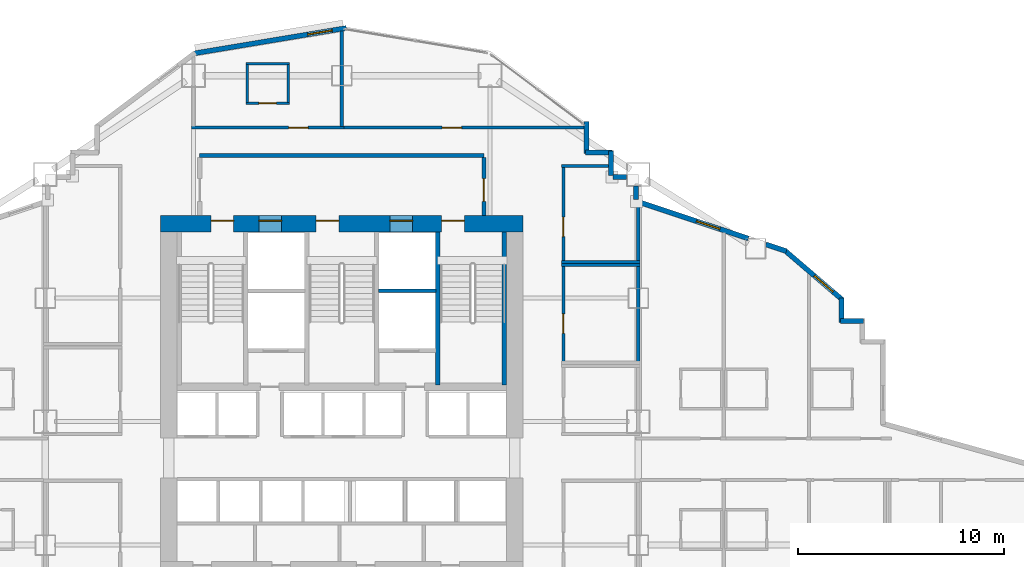
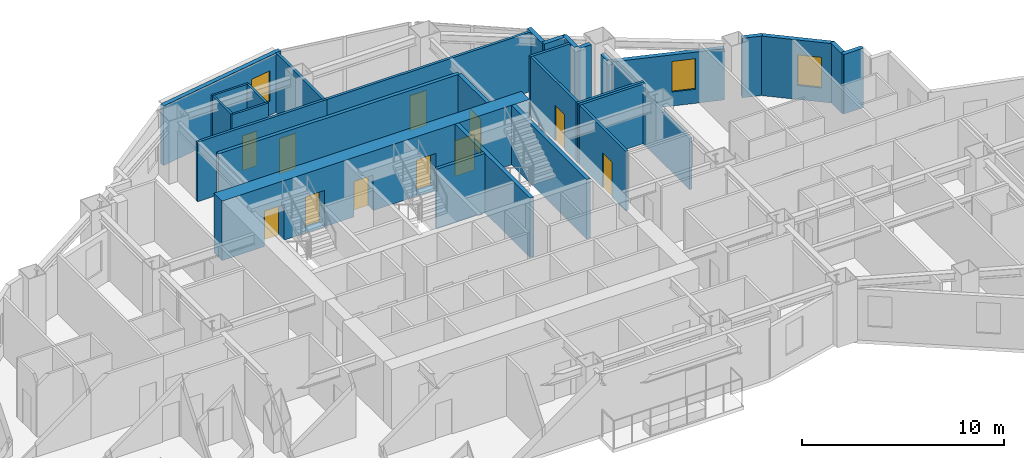
# One storey, part 12 of 17: 31 walls, 11 doors, 3 windows, 14 openings.
"""IFC4 building model written with IfcOpenShell, lengths in metres."""

from ifc_helpers import new_model, si_unit, direction, frame, frame_2d, origin, place, context, subcontext, project, spatial, rectangle, extrude, material, layer, layer_set, type_object, element, fill, save


model = new_model("IFC4")

# Units and contexts
model_context = context("Model", 3, precision=1e-05, world=origin(), true_north=direction((0.0, 1.0)))
body_context = subcontext(model_context, "Body", "Model", "MODEL_VIEW")
ifc_project = project(units=[si_unit("LENGTHUNIT", "METRE"), si_unit("AREAUNIT", "SQUARE_METRE"), si_unit("VOLUMEUNIT", "CUBIC_METRE"), si_unit("PLANEANGLEUNIT", "RADIAN"), si_unit("MASSUNIT", "GRAM", prefix="KILO")], contexts=[model_context])

# Site, building, storey
site_placement = place(None, origin())
site = spatial("IfcSite", under=ifc_project, at=site_placement, CompositionType="ELEMENT")
building_placement = place(site_placement, origin())
building = spatial("IfcBuilding", under=site, at=building_placement, Name="Haolan Belvedere Tower", CompositionType="ELEMENT")
storey_placement = place(building_placement, frame((0.0, 0.0, 81.800048828125)))
storey = spatial("IfcBuildingStorey", under=building, at=storey_placement, Name="L20", CompositionType="ELEMENT", Elevation=81.800048828125)

# Wall, openings, doors
ifc_material_1 = material(Name="Concrete C70/85", Category="concrete")
ifc_layer_1 = layer(ifc_material_1, 0.800048828125, Name="Concrete C70/85")
ifc_layer_set_1 = layer_set([ifc_layer_1], Name="Concrete C70/85")
wall_type_1 = type_object("IfcWallType", Name="WL-CORE-800", PredefinedType="SHEAR", material=ifc_layer_set_1)
wall_1_placement = place(storey_placement, frame((29.60009765625, 43.199951171875, 0.0), z_axis=(0.0, 0.0, 1.0), x_axis=(1.0, 0.0, 0.0)))
wall_1 = element("IfcWall", 1, at=wall_1_placement, inside=storey, type_object=wall_type_1, Name="L20 central core north shear wall", PredefinedType="SHEAR", context=body_context, shape_type="SweptSolid", body=[
    extrude(rectangle(XDim=17.599853515625, YDim=0.800048828125, at=frame_2d((8.7998046875, 0.0))), origin(), (0.0, 0.0, 1.0), 3.599853515625),
])
opening_1_placement = place(wall_1_placement, frame((2.449951171875, 0.0, 0.0)))
opening_1 = element("IfcOpeningElement", 2, at=opening_1_placement, cuts=wall_1, Name="Opening FD-03", PredefinedType="OPENING", context=body_context, shape_type="SweptSolid", body=[
    extrude(rectangle(XDim=1.10009765625, YDim=2.14990234375, at=frame_2d((0.550048828125, 1.074951171875))), frame((0.0, 0.409912109375, 0.0), z_axis=(0.0, -1.0, 0.0), x_axis=(1.0, 0.0, 0.0)), (0.0, 0.0, 1.0), 0.820068359375),
])
opening_2_placement = place(wall_1_placement, frame((7.56005859375, 0.0, 0.0)))
opening_2 = element("IfcOpeningElement", 3, at=opening_2_placement, cuts=wall_1, Name="Opening FD-03", PredefinedType="OPENING", context=body_context, shape_type="SweptSolid", body=[
    extrude(rectangle(XDim=1.10009765625, YDim=2.14990234375, at=frame_2d((0.550048828125, 1.074951171875))), frame((0.0, 0.409912109375, 0.0), z_axis=(0.0, -1.0, 0.0), x_axis=(1.0, 0.0, 0.0)), (0.0, 0.0, 1.0), 0.820068359375),
])
opening_3_placement = place(wall_1_placement, frame((13.64990234375, 0.0, 0.0)))
opening_3 = element("IfcOpeningElement", 4, at=opening_3_placement, cuts=wall_1, Name="Opening FD-03", PredefinedType="OPENING", context=body_context, shape_type="SweptSolid", body=[
    extrude(rectangle(XDim=1.10009765625, YDim=2.14990234375, at=frame_2d((0.550048828125, 1.074951171875))), frame((0.0, 0.409912109375, 0.0), z_axis=(0.0, -1.0, 0.0), x_axis=(1.0, 0.0, 0.0)), (0.0, 0.0, 1.0), 0.820068359375),
])
opening_4_placement = place(wall_1_placement, frame((4.780029296875, 0.0, 0.0)))
opening_4 = element("IfcOpeningElement", 5, at=opening_4_placement, cuts=wall_1, Name="Opening LD-01", PredefinedType="OPENING", context=body_context, shape_type="SweptSolid", body=[
    extrude(rectangle(XDim=1.10009765625, YDim=2.199951171875, at=frame_2d((0.550048828125, 1.10009765625))), frame((0.0, 0.409912109375, 0.0), z_axis=(0.0, -1.0, 0.0), x_axis=(1.0, 0.0, 0.0)), (0.0, 0.0, 1.0), 0.820068359375),
])
opening_5_placement = place(wall_1_placement, frame((11.139892578125, 0.0, 0.0)))
opening_5 = element("IfcOpeningElement", 6, at=opening_5_placement, cuts=wall_1, Name="Opening LD-01", PredefinedType="OPENING", context=body_context, shape_type="SweptSolid", body=[
    extrude(rectangle(XDim=1.10009765625, YDim=2.199951171875, at=frame_2d((0.550048828125, 1.10009765625))), frame((0.0, 0.409912109375, 0.0), z_axis=(0.0, -1.0, 0.0), x_axis=(1.0, 0.0, 0.0)), (0.0, 0.0, 1.0), 0.820068359375),
])
ifc_material_2 = material(Name="Galvanised fire-rated steel", Category="steel")
door_type_1 = type_object("IfcDoorType", Name="DR-FD90-1100", OperationType="NOTDEFINED", PredefinedType="DOOR", material=ifc_material_2)
door_1_placement = place(opening_1_placement, origin())
door_1 = element("IfcDoor", 7, at=door_1_placement, inside=storey, type_object=door_type_1, Name="L20 door CD-L20-ST1", OperationType="SINGLE_SWING_LEFT", OverallHeight=2.14990234375, OverallWidth=1.10009765625, PredefinedType="DOOR", context=body_context, shape_type="SweptSolid", body=[
    extrude(rectangle(XDim=1.10009765625, YDim=2.14990234375, at=frame_2d((0.550048828125, 1.074951171875))), frame((0.0, 0.18505859375, 0.0), z_axis=(0.0, -1.0, 0.0), x_axis=(1.0, 0.0, 0.0)), (0.0, 0.0, 1.0), 0.050048828125),
])
fill(opening_1, door_1)
door_2_placement = place(opening_2_placement, origin())
door_2 = element("IfcDoor", 8, at=door_2_placement, inside=storey, type_object=door_type_1, Name="L20 door CD-L20-ST3", OperationType="SINGLE_SWING_LEFT", OverallHeight=2.14990234375, OverallWidth=1.10009765625, PredefinedType="DOOR", context=body_context, shape_type="SweptSolid", body=[
    extrude(rectangle(XDim=1.10009765625, YDim=2.14990234375, at=frame_2d((0.550048828125, 1.074951171875))), frame((0.0, 0.18505859375, 0.0), z_axis=(0.0, -1.0, 0.0), x_axis=(1.0, 0.0, 0.0)), (0.0, 0.0, 1.0), 0.050048828125),
])
fill(opening_2, door_2)
door_3_placement = place(opening_3_placement, origin())
door_3 = element("IfcDoor", 9, at=door_3_placement, inside=storey, type_object=door_type_1, Name="L20 door CD-L20-ST2", OperationType="SINGLE_SWING_RIGHT", OverallHeight=2.14990234375, OverallWidth=1.10009765625, PredefinedType="DOOR", context=body_context, shape_type="SweptSolid", body=[
    extrude(rectangle(XDim=1.10009765625, YDim=2.14990234375, at=frame_2d((0.550048828125, 1.074951171875))), frame((0.0, 0.18505859375, 0.0), z_axis=(0.0, -1.0, 0.0), x_axis=(1.0, 0.0, 0.0)), (0.0, 0.0, 1.0), 0.050048828125),
])
fill(opening_3, door_3)
ifc_material_3 = material(Name="Brushed champagne stainless steel 316L", Category="steel")
door_type_2 = type_object("IfcDoorType", Name="DR-LIFT-1100", OperationType="SLIDING_TO_LEFT", PredefinedType="DOOR", material=ifc_material_3)
door_4_placement = place(opening_4_placement, origin())
door_4 = element("IfcDoor", 10, at=door_4_placement, inside=storey, type_object=door_type_2, Name="L20 door LD-L20-FF1", OperationType="SLIDING_TO_LEFT", OverallHeight=2.199951171875, OverallWidth=1.10009765625, PredefinedType="DOOR", context=body_context, shape_type="SweptSolid", body=[
    extrude(rectangle(XDim=1.10009765625, YDim=2.199951171875, at=frame_2d((0.550048828125, 1.10009765625))), frame((0.0, 0.18505859375, 0.0), z_axis=(0.0, -1.0, 0.0), x_axis=(1.0, 0.0, 0.0)), (0.0, 0.0, 1.0), 0.050048828125),
])
fill(opening_4, door_4)
door_5_placement = place(opening_5_placement, origin())
door_5 = element("IfcDoor", 11, at=door_5_placement, inside=storey, type_object=door_type_2, Name="L20 door LD-L20-FF2", OperationType="SLIDING_TO_LEFT", OverallHeight=2.199951171875, OverallWidth=1.10009765625, PredefinedType="DOOR", context=body_context, shape_type="SweptSolid", body=[
    extrude(rectangle(XDim=1.10009765625, YDim=2.199951171875, at=frame_2d((0.550048828125, 1.10009765625))), frame((0.0, 0.18505859375, 0.0), z_axis=(0.0, -1.0, 0.0), x_axis=(1.0, 0.0, 0.0)), (0.0, 0.0, 1.0), 0.050048828125),
])
fill(opening_5, door_5)

# Walls
ifc_material_4 = material(Name="Precast concrete C40/50", Category="concrete")
ifc_layer_2 = layer(ifc_material_4, 0.239990234375, Name="Precast concrete C40/50")
ifc_layer_set_2 = layer_set([ifc_layer_2], Name="Precast concrete C40/50")
wall_type_2 = type_object("IfcWallType", Name="WL-EXT-240", PredefinedType="SOLIDWALL", material=ifc_layer_set_2)
wall_2_placement = place(storey_placement, frame((63.735107421875, 38.47998046875, 0.0), z_axis=(0.0, 0.0, 1.0), x_axis=(-1.0, 0.0, 0.0)))
element("IfcWall", 12, at=wall_2_placement, inside=storey, type_object=wall_type_2, Name="L20 pale-metal exterior spandrel wall 32.1", PredefinedType="SOLIDWALL", context=body_context, shape_type="SweptSolid", body=[
    extrude(rectangle(XDim=1.110107421875, YDim=0.239990234375, at=frame_2d((0.55517578125, 0.0))), origin(), (0.0, 0.0, 1.0), 3.599853515625),
])
wall_3_placement = place(storey_placement, frame((62.679931640625, 38.425048828125, 0.0), z_axis=(0.0, 0.0, 1.0), x_axis=(0.0, 1.0, 0.0)))
element("IfcWall", 13, at=wall_3_placement, inside=storey, type_object=wall_type_2, Name="L20 pale-metal exterior spandrel wall 33.1", PredefinedType="SOLIDWALL", context=body_context, shape_type="SweptSolid", body=[
    extrude(rectangle(XDim=1.1748046875, YDim=0.239990234375, at=frame_2d((0.58740234375, 0.0))), origin(), (0.0, 0.0, 1.0), 3.599853515625),
])

# Wall, opening, window
wall_4_placement = place(storey_placement, frame((62.7216796875, 39.509033203125, 0.0), z_axis=(0.0, 0.0, 1.0), x_axis=(-0.759247334792, 0.650802185469, 0.0)))
wall_4 = element("IfcWall", 14, at=wall_4_placement, inside=storey, type_object=wall_type_2, Name="L20 pale-metal exterior spandrel wall 34.1", PredefinedType="SOLIDWALL", context=body_context, shape_type="SweptSolid", body=[
    extrude(rectangle(XDim=3.71923828125, YDim=0.239990234375, at=frame_2d((1.859619140625, 0.0))), origin(), (0.0, 0.0, 1.0), 3.599853515625),
])
opening_6_placement = place(wall_4_placement, frame((0.611083984375, 0.0, 0.85009765625)))
opening_6 = element("IfcOpeningElement", 15, at=opening_6_placement, cuts=wall_4, Name="Opening W-01", PredefinedType="OPENING", context=body_context, shape_type="SweptSolid", body=[
    extrude(rectangle(XDim=1.199951171875, YDim=1.85009765625, at=frame_2d((0.60009765625, 0.925048828125))), frame((0.0, 0.1298828125, 0.0), z_axis=(0.0, -1.0, 0.0), x_axis=(1.0, 0.0, 0.0)), (0.0, 0.0, 1.0), 0.260009765625),
])
ifc_material_5 = material(Name="Anodised aluminium 6063-T6 and Low-E glass", Category="aluminium")
window_type = type_object("IfcWindowType", Name="WN-DECO-Z1", PartitioningType="SINGLE_PANEL", PredefinedType="WINDOW", material=ifc_material_5)
window_1_placement = place(opening_6_placement, origin())
window_1 = element("IfcWindow", 16, at=window_1_placement, inside=storey, type_object=window_type, Name="L20 Art Deco chevron window 1", OverallHeight=1.85009765625, OverallWidth=1.199951171875, PartitioningType="SINGLE_PANEL", PredefinedType="WINDOW", context=body_context, shape_type="SweptSolid", body=[
    extrude(rectangle(XDim=1.199951171875, YDim=1.85009765625, at=frame_2d((0.60009765625, 0.925048828125))), frame((0.0, 0.030029296875, 0.0), z_axis=(0.0, -1.0, 0.0), x_axis=(1.0, 0.0, 0.0)), (0.0, 0.0, 1.0), 0.06005859375),
])
fill(opening_6, window_1)

# Wall
wall_5_placement = place(storey_placement, frame((59.991943359375, 41.876220703125, 0.0), z_axis=(0.0, 0.0, 1.0), x_axis=(-0.948706457285, 0.316158279832, 0.0)))
element("IfcWall", 17, at=wall_5_placement, inside=storey, type_object=wall_type_2, Name="L20 pale-metal exterior spandrel wall 35.1", PredefinedType="SOLIDWALL", context=body_context, shape_type="SweptSolid", body=[
    extrude(rectangle(XDim=1.053955078125, YDim=0.239990234375, at=frame_2d((0.52685546875, 0.0))), origin(), (0.0, 0.0, 1.0), 3.599853515625),
])

# Wall, opening, window
wall_6_placement = place(storey_placement, frame((58.14453125, 42.491943359375, 0.0), z_axis=(0.0, 0.0, 1.0), x_axis=(-0.948683298051, 0.316227766017, 0.0)))
wall_6 = element("IfcWall", 18, at=wall_6_placement, inside=storey, type_object=wall_type_2, Name="L20 pale-metal exterior spandrel wall 35.2", PredefinedType="SOLIDWALL", context=body_context, shape_type="SweptSolid", body=[
    extrude(rectangle(XDim=5.67529296875, YDim=0.239990234375, at=frame_2d((2.837646484375, 0.0))), origin(), (0.0, 0.0, 1.0), 3.096923828125),
])
opening_7_placement = place(wall_6_placement, frame((1.459228515625, 0.0, 0.85009765625)))
opening_7 = element("IfcOpeningElement", 19, at=opening_7_placement, cuts=wall_6, Name="Opening W-01", PredefinedType="OPENING", context=body_context, shape_type="SweptSolid", body=[
    extrude(rectangle(XDim=1.199951171875, YDim=1.85009765625, at=frame_2d((0.60009765625, 0.925048828125))), frame((0.0, 0.1298828125, 0.0), z_axis=(0.0, -1.0, 0.0), x_axis=(1.0, 0.0, 0.0)), (0.0, 0.0, 1.0), 0.260009765625),
])
window_2_placement = place(opening_7_placement, origin())
window_2 = element("IfcWindow", 20, at=window_2_placement, inside=storey, type_object=window_type, Name="L20 Art Deco chevron window 1", OverallHeight=1.85009765625, OverallWidth=1.199951171875, PartitioningType="SINGLE_PANEL", PredefinedType="WINDOW", context=body_context, shape_type="SweptSolid", body=[
    extrude(rectangle(XDim=1.199951171875, YDim=1.85009765625, at=frame_2d((0.60009765625, 0.925048828125))), frame((0.0, 0.030029296875, 0.0), z_axis=(0.0, -1.0, 0.0), x_axis=(1.0, 0.0, 0.0)), (0.0, 0.0, 1.0), 0.06005859375),
])
fill(opening_7, window_2)

# Walls
wall_7_placement = place(storey_placement, frame((52.679931640625, 44.3984375, 0.0), z_axis=(0.0, 0.0, 1.0), x_axis=(0.0, 1.0, 0.0)))
element("IfcWall", 21, at=wall_7_placement, inside=storey, type_object=wall_type_2, Name="L20 pale-metal exterior spandrel wall 36.1", PredefinedType="SOLIDWALL", context=body_context, shape_type="SweptSolid", body=[
    extrude(rectangle(XDim=0.634521484375, YDim=0.239990234375, at=frame_2d((0.3173828125, 0.0))), origin(), (0.0, 0.0, 1.0), 3.096923828125),
])
wall_8_placement = place(storey_placement, frame((52.23291015625, 45.47998046875, 0.0), z_axis=(0.0, 0.0, 1.0), x_axis=(-1.0, 0.0, 0.0)))
element("IfcWall", 22, at=wall_8_placement, inside=storey, type_object=wall_type_2, Name="L20 pale-metal exterior spandrel wall 37.1", PredefinedType="SOLIDWALL", context=body_context, shape_type="SweptSolid", body=[
    extrude(rectangle(XDim=0.66796875, YDim=0.239990234375, at=frame_2d((0.333984375, 0.0))), origin(), (0.0, 0.0, 1.0), 3.599853515625),
])
wall_9_placement = place(storey_placement, frame((51.47998046875, 45.56494140625, 0.0), z_axis=(0.0, 0.0, 1.0), x_axis=(0.0, 1.0, 0.0)))
element("IfcWall", 23, at=wall_9_placement, inside=storey, type_object=wall_type_2, Name="L20 pale-metal exterior spandrel wall 38.1", PredefinedType="SOLIDWALL", context=body_context, shape_type="SweptSolid", body=[
    extrude(rectangle(XDim=1.170166015625, YDim=0.239990234375, at=frame_2d((0.5849609375, 0.0))), origin(), (0.0, 0.0, 1.0), 3.599853515625),
])
wall_10_placement = place(storey_placement, frame((51.534912109375, 46.679931640625, 0.0), z_axis=(0.0, 0.0, 1.0), x_axis=(-1.0, 0.0, 0.0)))
element("IfcWall", 24, at=wall_10_placement, inside=storey, type_object=wall_type_2, Name="L20 pale-metal exterior spandrel wall 39.1", PredefinedType="SOLIDWALL", context=body_context, shape_type="SweptSolid", body=[
    extrude(rectangle(XDim=1.309814453125, YDim=0.239990234375, at=frame_2d((0.65478515625, 0.0))), origin(), (0.0, 0.0, 1.0), 3.599853515625),
])
wall_11_placement = place(storey_placement, frame((50.280029296875, 46.625, 0.0), z_axis=(0.0, 0.0, 1.0), x_axis=(0.0, 1.0, 0.0)))
element("IfcWall", 25, at=wall_11_placement, inside=storey, type_object=wall_type_2, Name="L20 pale-metal exterior spandrel wall 40.1", PredefinedType="SOLIDWALL", context=body_context, shape_type="SweptSolid", body=[
    extrude(rectangle(XDim=1.5400390625, YDim=0.239990234375, at=frame_2d((0.77001953125, 0.0))), origin(), (0.0, 0.0, 1.0), 3.599853515625),
])

# Wall, opening, window
wall_12_placement = place(storey_placement, frame((38.621826171875, 52.71533203125, 0.0), z_axis=(0.0, 0.0, 1.0), x_axis=(-0.98639129485, -0.164414760418, 0.0)))
wall_12 = element("IfcWall", 26, at=wall_12_placement, inside=storey, type_object=wall_type_2, Name="L20 pale-metal exterior spandrel wall 43.1", PredefinedType="SOLIDWALL", context=body_context, shape_type="SweptSolid", body=[
    extrude(rectangle(XDim=7.530029296875, YDim=0.239990234375, at=frame_2d((3.76513671875, 0.0))), origin(), (0.0, 0.0, 1.0), 3.599853515625),
])
opening_8_placement = place(wall_12_placement, frame((0.699951171875, 0.0, 0.85009765625)))
opening_8 = element("IfcOpeningElement", 27, at=opening_8_placement, cuts=wall_12, Name="Opening W-01", PredefinedType="OPENING", context=body_context, shape_type="SweptSolid", body=[
    extrude(rectangle(XDim=1.199951171875, YDim=1.85009765625, at=frame_2d((0.60009765625, 0.925048828125))), frame((0.0, 0.1298828125, 0.0), z_axis=(0.0, -1.0, 0.0), x_axis=(1.0, 0.0, 0.0)), (0.0, 0.0, 1.0), 0.260009765625),
])
window_3_placement = place(opening_8_placement, origin())
window_3 = element("IfcWindow", 28, at=window_3_placement, inside=storey, type_object=window_type, Name="L20 Art Deco chevron window 1", OverallHeight=1.85009765625, OverallWidth=1.199951171875, PartitioningType="SINGLE_PANEL", PredefinedType="WINDOW", context=body_context, shape_type="SweptSolid", body=[
    extrude(rectangle(XDim=1.199951171875, YDim=1.85009765625, at=frame_2d((0.60009765625, 0.925048828125))), frame((0.0, 0.030029296875, 0.0), z_axis=(0.0, -1.0, 0.0), x_axis=(1.0, 0.0, 0.0)), (0.0, 0.0, 1.0), 0.06005859375),
])
fill(opening_8, window_3)

# Wall
ifc_material_6 = material(Name="Concrete C40/50", Category="concrete")
ifc_layer_3 = layer(ifc_material_6, 0.199951171875, Name="Concrete C40/50")
ifc_layer_set_3 = layer_set([ifc_layer_3], Name="Concrete C40/50")
wall_type_3 = type_object("IfcWallType", Name="WL-FIRE-200", PredefinedType="SOLIDWALL", material=ifc_layer_set_3)
wall_13_placement = place(storey_placement, frame((31.5, 46.52001953125, 0.0), z_axis=(0.0, 0.0, 1.0), x_axis=(1.0, 0.0, 0.0)))
element("IfcWall", 29, at=wall_13_placement, inside=storey, type_object=wall_type_3, Name="L20 interior partition IW-L20-FFL-N", PredefinedType="SOLIDWALL", context=body_context, shape_type="SweptSolid", body=[
    extrude(rectangle(XDim=13.800048828125, YDim=0.199951171875, at=frame_2d((6.89990234375, 0.0))), origin(), (0.0, 0.0, 1.0), 3.599853515625),
])

# Wall, opening, door
wall_14_placement = place(storey_placement, frame((45.300048828125, 43.60009765625, 0.0), z_axis=(0.0, 0.0, 1.0), x_axis=(0.0, 1.0, 0.0)))
wall_14 = element("IfcWall", 30, at=wall_14_placement, inside=storey, type_object=wall_type_3, Name="L20 interior partition IW-L20-FFL-E", PredefinedType="SOLIDWALL", context=body_context, shape_type="SweptSolid", body=[
    extrude(rectangle(XDim=2.8349609375, YDim=0.199951171875, at=frame_2d((1.41748046875, 0.0))), origin(), (0.0, 0.0, 1.0), 3.599853515625),
])
opening_9_placement = place(wall_14_placement, frame((0.699951171875, 0.0, 0.0)))
opening_9 = element("IfcOpeningElement", 31, at=opening_9_placement, cuts=wall_14, Name="Opening FD-03", PredefinedType="OPENING", context=body_context, shape_type="SweptSolid", body=[
    extrude(rectangle(XDim=1.10009765625, YDim=2.14990234375, at=frame_2d((0.550048828125, 1.074951171875))), frame((0.0, 0.10986328125, 0.0), z_axis=(0.0, -1.0, 0.0), x_axis=(1.0, 0.0, 0.0)), (0.0, 0.0, 1.0), 0.219970703125),
])
door_6_placement = place(opening_9_placement, origin())
door_6 = element("IfcDoor", 32, at=door_6_placement, inside=storey, type_object=door_type_1, Name="L20 door ID-L20-FFL-DE", OperationType="SINGLE_SWING_RIGHT", OverallHeight=2.14990234375, OverallWidth=1.10009765625, PredefinedType="DOOR", context=body_context, shape_type="SweptSolid", body=[
    extrude(rectangle(XDim=1.10009765625, YDim=2.14990234375, at=frame_2d((0.550048828125, 1.074951171875))), frame((0.0, 0.02490234375, 0.0), z_axis=(0.0, -1.0, 0.0), x_axis=(1.0, 0.0, 0.0)), (0.0, 0.0, 1.0), 0.050048828125),
])
fill(opening_9, door_6)

# Wall
ifc_material_7 = material(Name="Double gypsum acoustic stud partition", Category="masonry")
ifc_layer_4 = layer(ifc_material_7, 0.14990234375, Name="Double gypsum acoustic stud partition")
ifc_layer_set_4 = layer_set([ifc_layer_4], Name="Double gypsum acoustic stud partition")
wall_type_4 = type_object("IfcWallType", Name="WL-PART-150", PredefinedType="PARTITIONING", material=ifc_layer_set_4)
wall_15_placement = place(storey_placement, frame((49.080078125, 41.199951171875, 0.0), z_axis=(0.0, 0.0, 1.0), x_axis=(1.0, 0.0, 0.0)))
element("IfcWall", 33, at=wall_15_placement, inside=storey, type_object=wall_type_4, Name="L20 interior partition IW-L20-STY-N", PredefinedType="PARTITIONING", context=body_context, shape_type="SweptSolid", body=[
    extrude(rectangle(XDim=3.7998046875, YDim=0.14990234375, at=frame_2d((1.89990234375, 0.0))), origin(), (0.0, 0.0, 1.0), 3.599853515625),
])

# Wall, opening, door
wall_16_placement = place(storey_placement, frame((49.159912109375, 36.52001953125, 0.0), z_axis=(0.0, 0.0, 1.0), x_axis=(0.0, 1.0, 0.0)))
wall_16 = element("IfcWall", 34, at=wall_16_placement, inside=storey, type_object=wall_type_4, Name="L20 interior partition IW-L20-STY-W", PredefinedType="PARTITIONING", context=body_context, shape_type="SweptSolid", body=[
    extrude(rectangle(XDim=4.619873046875, YDim=0.14990234375, at=frame_2d((2.31005859375, 0.0))), origin(), (0.0, 0.0, 1.0), 3.599853515625),
])
opening_10_placement = place(wall_16_placement, frame((1.360107421875, 0.0, 0.0)))
opening_10 = element("IfcOpeningElement", 35, at=opening_10_placement, cuts=wall_16, Name="Opening ID-03", PredefinedType="OPENING", context=body_context, shape_type="SweptSolid", body=[
    extrude(rectangle(XDim=0.949951171875, YDim=2.1201171875, at=frame_2d((0.47509765625, 1.06005859375))), frame((0.0, 0.0849609375, 0.0), z_axis=(0.0, -1.0, 0.0), x_axis=(1.0, 0.0, 0.0)), (0.0, 0.0, 1.0), 0.169921875),
])
ifc_material_8 = material(Name="Painted solid-core timber", Category="wood")
door_type_3 = type_object("IfcDoorType", Name="DR-INT-950", OperationType="NOTDEFINED", PredefinedType="DOOR", material=ifc_material_8)
door_7_placement = place(opening_10_placement, origin())
door_7 = element("IfcDoor", 36, at=door_7_placement, inside=storey, type_object=door_type_3, Name="L20 door ID-L20-STY", OperationType="SINGLE_SWING_RIGHT", OverallHeight=2.1201171875, OverallWidth=0.949951171875, PredefinedType="DOOR", context=body_context, shape_type="SweptSolid", body=[
    extrude(rectangle(XDim=0.949951171875, YDim=2.1201171875, at=frame_2d((0.47509765625, 1.06005859375))), frame((0.0, 0.02490234375, 0.0), z_axis=(0.0, -1.0, 0.0), x_axis=(1.0, 0.0, 0.0)), (0.0, 0.0, 1.0), 0.050048828125),
])
fill(opening_10, door_7)

# Walls
wall_17_placement = place(storey_placement, frame((52.800048828125, 36.52001953125, 0.0), z_axis=(0.0, 0.0, 1.0), x_axis=(0.0, 1.0, 0.0)))
element("IfcWall", 37, at=wall_17_placement, inside=storey, type_object=wall_type_4, Name="L20 interior partition IW-L20-STY-E", PredefinedType="PARTITIONING", context=body_context, shape_type="SweptSolid", body=[
    extrude(rectangle(XDim=4.619873046875, YDim=0.14990234375, at=frame_2d((2.31005859375, 0.0))), origin(), (0.0, 0.0, 1.0), 3.096923828125),
])
wall_18_placement = place(storey_placement, frame((49.080078125, 46.02001953125, 0.0), z_axis=(0.0, 0.0, 1.0), x_axis=(1.0, 0.0, 0.0)))
element("IfcWall", 38, at=wall_18_placement, inside=storey, type_object=wall_type_4, Name="L20 interior partition IW-L20-PNT-N", PredefinedType="PARTITIONING", context=body_context, shape_type="SweptSolid", body=[
    extrude(rectangle(XDim=2.294921875, YDim=0.14990234375, at=frame_2d((1.1474609375, 0.0))), origin(), (0.0, 0.0, 1.0), 3.599853515625),
])
wall_19_placement = place(storey_placement, frame((49.080078125, 41.360107421875, 0.0), z_axis=(0.0, 0.0, 1.0), x_axis=(1.0, 0.0, 0.0)))
element("IfcWall", 39, at=wall_19_placement, inside=storey, type_object=wall_type_4, Name="L20 interior partition IW-L20-PNT-S", PredefinedType="PARTITIONING", context=body_context, shape_type="SweptSolid", body=[
    extrude(rectangle(XDim=3.7998046875, YDim=0.14990234375, at=frame_2d((1.89990234375, 0.0))), origin(), (0.0, 0.0, 1.0), 3.599853515625),
])

# Wall, opening, door
wall_20_placement = place(storey_placement, frame((49.159912109375, 41.419921875, 0.0), z_axis=(0.0, 0.0, 1.0), x_axis=(0.0, 1.0, 0.0)))
wall_20 = element("IfcWall", 40, at=wall_20_placement, inside=storey, type_object=wall_type_4, Name="L20 interior partition IW-L20-PNT-W", PredefinedType="PARTITIONING", context=body_context, shape_type="SweptSolid", body=[
    extrude(rectangle(XDim=4.5400390625, YDim=0.14990234375, at=frame_2d((2.27001953125, 0.0))), origin(), (0.0, 0.0, 1.0), 3.599853515625),
])
opening_11_placement = place(wall_20_placement, frame((1.159912109375, 0.0, 0.0)))
opening_11 = element("IfcOpeningElement", 41, at=opening_11_placement, cuts=wall_20, Name="Opening ID-03", PredefinedType="OPENING", context=body_context, shape_type="SweptSolid", body=[
    extrude(rectangle(XDim=0.949951171875, YDim=2.1201171875, at=frame_2d((0.47509765625, 1.06005859375))), frame((0.0, 0.0849609375, 0.0), z_axis=(0.0, -1.0, 0.0), x_axis=(1.0, 0.0, 0.0)), (0.0, 0.0, 1.0), 0.169921875),
])
door_8_placement = place(opening_11_placement, origin())
door_8 = element("IfcDoor", 42, at=door_8_placement, inside=storey, type_object=door_type_3, Name="L20 door ID-L20-PNT", OperationType="SINGLE_SWING_LEFT", OverallHeight=2.1201171875, OverallWidth=0.949951171875, PredefinedType="DOOR", context=body_context, shape_type="SweptSolid", body=[
    extrude(rectangle(XDim=0.949951171875, YDim=2.1201171875, at=frame_2d((0.47509765625, 1.06005859375))), frame((0.0, 0.02490234375, 0.0), z_axis=(0.0, -1.0, 0.0), x_axis=(1.0, 0.0, 0.0)), (0.0, 0.0, 1.0), 0.050048828125),
])
fill(opening_11, door_8)

# Wall
wall_21_placement = place(storey_placement, frame((52.800048828125, 41.419921875, 0.0), z_axis=(0.0, 0.0, 1.0), x_axis=(0.0, 1.0, 0.0)))
element("IfcWall", 43, at=wall_21_placement, inside=storey, type_object=wall_type_4, Name="L20 interior partition IW-L20-PNT-E", PredefinedType="PARTITIONING", context=body_context, shape_type="SweptSolid", body=[
    extrude(rectangle(XDim=2.742919921875, YDim=0.14990234375, at=frame_2d((1.37158203125, 0.0))), origin(), (0.0, 0.0, 1.0), 3.096923828125),
])

# Wall, opening, door
wall_22_placement = place(storey_placement, frame((31.10009765625, 47.8798828125, 0.0), z_axis=(0.0, 0.0, 1.0), x_axis=(1.0, 0.0, 0.0)))
wall_22 = element("IfcWall", 44, at=wall_22_placement, inside=storey, type_object=wall_type_4, Name="L20 interior partition IW-L20-KN2-S", PredefinedType="PARTITIONING", context=body_context, shape_type="SweptSolid", body=[
    extrude(rectangle(XDim=7.39990234375, YDim=0.14990234375, at=frame_2d((3.699951171875, 0.0))), origin(), (0.0, 0.0, 1.0), 3.599853515625),
])
opening_12_placement = place(wall_22_placement, frame((4.713623046875, 0.0, 0.0)))
opening_12 = element("IfcOpeningElement", 45, at=opening_12_placement, cuts=wall_22, Name="Opening ID-02", PredefinedType="OPENING", context=body_context, shape_type="SweptSolid", body=[
    extrude(rectangle(XDim=0.949951171875, YDim=2.14990234375, at=frame_2d((0.47509765625, 1.074951171875))), frame((0.0, 0.0849609375, 0.0), z_axis=(0.0, -1.0, 0.0), x_axis=(1.0, 0.0, 0.0)), (0.0, 0.0, 1.0), 0.169921875),
])
ifc_material_9 = material(Name="Acoustic oak veneer fire-rated timber", Category="wood")
door_type_4 = type_object("IfcDoorType", Name="DR-GUEST-950", OperationType="NOTDEFINED", PredefinedType="DOOR", material=ifc_material_9)
door_9_placement = place(opening_12_placement, origin())
door_9 = element("IfcDoor", 46, at=door_9_placement, inside=storey, type_object=door_type_4, Name="L20 door ID-L20-KN2-ENT", OperationType="SINGLE_SWING_RIGHT", OverallHeight=2.14990234375, OverallWidth=0.949951171875, PredefinedType="DOOR", context=body_context, shape_type="SweptSolid", body=[
    extrude(rectangle(XDim=0.949951171875, YDim=2.14990234375, at=frame_2d((0.47509765625, 1.074951171875))), frame((0.0, 0.02490234375, 0.0), z_axis=(0.0, -1.0, 0.0), x_axis=(1.0, 0.0, 0.0)), (0.0, 0.0, 1.0), 0.050048828125),
])
fill(opening_12, door_9)

# Wall
wall_23_placement = place(storey_placement, frame((38.39990234375, 47.93994140625, 0.0), z_axis=(0.0, 0.0, 1.0), x_axis=(0.0, 1.0, 0.0)))
element("IfcWall", 47, at=wall_23_placement, inside=storey, type_object=wall_type_4, Name="L20 interior partition IW-L20-KN2-E", PredefinedType="PARTITIONING", context=body_context, shape_type="SweptSolid", body=[
    extrude(rectangle(XDim=4.632080078125, YDim=0.14990234375, at=frame_2d((2.31591796875, 0.0))), origin(), (0.0, 0.0, 1.0), 3.599853515625),
])

# Wall, opening, door
wall_24_placement = place(storey_placement, frame((38.501953125, 47.8798828125, 0.0), z_axis=(0.0, 0.0, 1.0), x_axis=(1.0, 0.0, 0.0)))
wall_24 = element("IfcWall", 48, at=wall_24_placement, inside=storey, type_object=wall_type_4, Name="L20 interior partition IW-L20-KN3-S", PredefinedType="PARTITIONING", context=body_context, shape_type="SweptSolid", body=[
    extrude(rectangle(XDim=11.673095703125, YDim=0.14990234375, at=frame_2d((5.83642578125, 0.0))), origin(), (0.0, 0.0, 1.0), 3.599853515625),
])
opening_13_placement = place(wall_24_placement, frame((4.77294921875, 0.0, 0.0)))
opening_13 = element("IfcOpeningElement", 49, at=opening_13_placement, cuts=wall_24, Name="Opening ID-03", PredefinedType="OPENING", context=body_context, shape_type="SweptSolid", body=[
    extrude(rectangle(XDim=0.949951171875, YDim=2.1201171875, at=frame_2d((0.47509765625, 1.06005859375))), frame((0.0, 0.0849609375, 0.0), z_axis=(0.0, -1.0, 0.0), x_axis=(1.0, 0.0, 0.0)), (0.0, 0.0, 1.0), 0.169921875),
])
door_10_placement = place(opening_13_placement, origin())
door_10 = element("IfcDoor", 50, at=door_10_placement, inside=storey, type_object=door_type_3, Name="L20 door ID-L20-KN3", OperationType="SINGLE_SWING_LEFT", OverallHeight=2.1201171875, OverallWidth=0.949951171875, PredefinedType="DOOR", context=body_context, shape_type="SweptSolid", body=[
    extrude(rectangle(XDim=0.949951171875, YDim=2.1201171875, at=frame_2d((0.47509765625, 1.06005859375))), frame((0.0, 0.02490234375, 0.0), z_axis=(0.0, -1.0, 0.0), x_axis=(1.0, 0.0, 0.0)), (0.0, 0.0, 1.0), 0.050048828125),
])
fill(opening_13, door_10)

# Walls
ifc_layer_5 = layer(ifc_material_4, 0.179931640625, Name="Precast concrete C40/50")
ifc_layer_set_5 = layer_set([ifc_layer_5], Name="Precast concrete C40/50")
wall_type_5 = type_object("IfcWallType", Name="WL-SHAFT-180", PredefinedType="SOLIDWALL", material=ifc_layer_set_5)
wall_25_placement = place(storey_placement, frame((40.195068359375, 39.949951171875, 0.0), z_axis=(0.0, 0.0, 1.0), x_axis=(1.0, 0.0, 0.0)))
element("IfcWall", 51, at=wall_25_placement, inside=storey, type_object=wall_type_5, Name="L20 interior partition IW-L20-FF2-S", PredefinedType="SOLIDWALL", context=body_context, shape_type="SweptSolid", body=[
    extrude(rectangle(XDim=2.77001953125, YDim=0.179931640625, at=frame_2d((1.385009765625, 0.0))), origin(), (0.0, 0.0, 1.0), 3.599853515625),
])
ifc_material_10 = material(Name="Concrete C50/60", Category="concrete")
ifc_layer_6 = layer(ifc_material_10, 0.219970703125, Name="Concrete C50/60")
ifc_layer_set_6 = layer_set([ifc_layer_6], Name="Concrete C50/60")
wall_type_6 = type_object("IfcWallType", Name="WL-STAIR-220", PredefinedType="SHEAR", material=ifc_layer_set_6)
for number, where, z_axis, x_axis, name in (
    (52, (43.06005859375, 35.389892578125, 0.0), (0.0, 0.0, 1.0), (0.0, 1.0, 0.0), "L20 structural stair core wall ST2W"),
    (53, (46.2880859375, 35.389892578125, 0.0), (0.0, 0.0, 1.0), (0.0, 1.0, 0.0), "L20 structural stair core wall ST2E"),
):
    element("IfcWall", number, at=place(storey_placement, frame(where, z_axis=z_axis, x_axis=x_axis)), inside=storey, type_object=wall_type_6, Name=name, PredefinedType="SHEAR", context=body_context, shape_type="SweptSolid", body=[
        extrude(rectangle(XDim=7.41015625, YDim=0.219970703125, at=frame_2d((3.705078125, 0.0))), origin(), (0.0, 0.0, 1.0), 3.599853515625),
    ])
ifc_material_11 = material(Name="Moisture-resistant gypsum tile partition", Category="masonry")
ifc_layer_7 = layer(ifc_material_11, 0.1201171875, Name="Moisture-resistant gypsum tile partition")
ifc_layer_set_7 = layer_set([ifc_layer_7], Name="Moisture-resistant gypsum tile partition")
wall_type_7 = type_object("IfcWallType", Name="WL-WET-120", PredefinedType="PARTITIONING", material=ifc_layer_set_7)
wall_26_placement = place(storey_placement, frame((33.75, 50.97998046875, 0.0), z_axis=(0.0, 0.0, 1.0), x_axis=(1.0, 0.0, 0.0)))
element("IfcWall", 54, at=wall_26_placement, inside=storey, type_object=wall_type_7, Name="L20 interior partition IW-L20-KN2-BN", PredefinedType="PARTITIONING", context=body_context, shape_type="SweptSolid", body=[
    extrude(rectangle(XDim=2.10009765625, YDim=0.1201171875, at=frame_2d((1.050048828125, 0.0))), origin(), (0.0, 0.0, 1.0), 3.599853515625),
])

# Wall, opening, door
wall_27_placement = place(storey_placement, frame((33.75, 49.06005859375, 0.0), z_axis=(0.0, 0.0, 1.0), x_axis=(1.0, 0.0, 0.0)))
wall_27 = element("IfcWall", 55, at=wall_27_placement, inside=storey, type_object=wall_type_7, Name="L20 interior partition IW-L20-KN2-BS", PredefinedType="PARTITIONING", context=body_context, shape_type="SweptSolid", body=[
    extrude(rectangle(XDim=2.10009765625, YDim=0.1201171875, at=frame_2d((1.050048828125, 0.0))), origin(), (0.0, 0.0, 1.0), 3.599853515625),
])
opening_14_placement = place(wall_27_placement, frame((0.625, 0.0, 0.0)))
opening_14 = element("IfcOpeningElement", 56, at=opening_14_placement, cuts=wall_27, Name="Opening ID-05", PredefinedType="OPENING", context=body_context, shape_type="SweptSolid", body=[
    extrude(rectangle(XDim=0.85009765625, YDim=2.10009765625, at=frame_2d((0.425048828125, 1.050048828125))), frame((0.0, 0.070068359375, 0.0), z_axis=(0.0, -1.0, 0.0), x_axis=(1.0, 0.0, 0.0)), (0.0, 0.0, 1.0), 0.14013671875),
])
ifc_material_12 = material(Name="Moisture-resistant lacquered timber", Category="wood")
door_type_5 = type_object("IfcDoorType", Name="DR-BATH-850", OperationType="NOTDEFINED", PredefinedType="DOOR", material=ifc_material_12)
door_11_placement = place(opening_14_placement, origin())
door_11 = element("IfcDoor", 57, at=door_11_placement, inside=storey, type_object=door_type_5, Name="L20 door ID-L20-KN2-BATH", OperationType="SINGLE_SWING_LEFT", OverallHeight=2.10009765625, OverallWidth=0.85009765625, PredefinedType="DOOR", context=body_context, shape_type="SweptSolid", body=[
    extrude(rectangle(XDim=0.85009765625, YDim=2.10009765625, at=frame_2d((0.425048828125, 1.050048828125))), frame((0.0, 0.02490234375, 0.0), z_axis=(0.0, -1.0, 0.0), x_axis=(1.0, 0.0, 0.0)), (0.0, 0.0, 1.0), 0.050048828125),
])
fill(opening_14, door_11)

# Walls
for number, where, z_axis, x_axis, name in (
    (58, (33.81005859375, 49.10498046875, 0.0), (0.0, 0.0, 1.0), (0.0, 1.0, 0.0), "L20 interior partition IW-L20-KN2-BW"),
    (59, (35.7900390625, 49.10498046875, 0.0), (0.0, 0.0, 1.0), (0.0, 1.0, 0.0), "L20 interior partition IW-L20-KN2-BE"),
):
    element("IfcWall", number, at=place(storey_placement, frame(where, z_axis=z_axis, x_axis=x_axis)), inside=storey, type_object=wall_type_7, Name=name, PredefinedType="PARTITIONING", context=body_context, shape_type="SweptSolid", body=[
        extrude(rectangle(XDim=1.830078125, YDim=0.1201171875, at=frame_2d((0.9150390625, 0.0))), origin(), (0.0, 0.0, 1.0), 3.599853515625),
    ])

save(model, "model.ifc")
